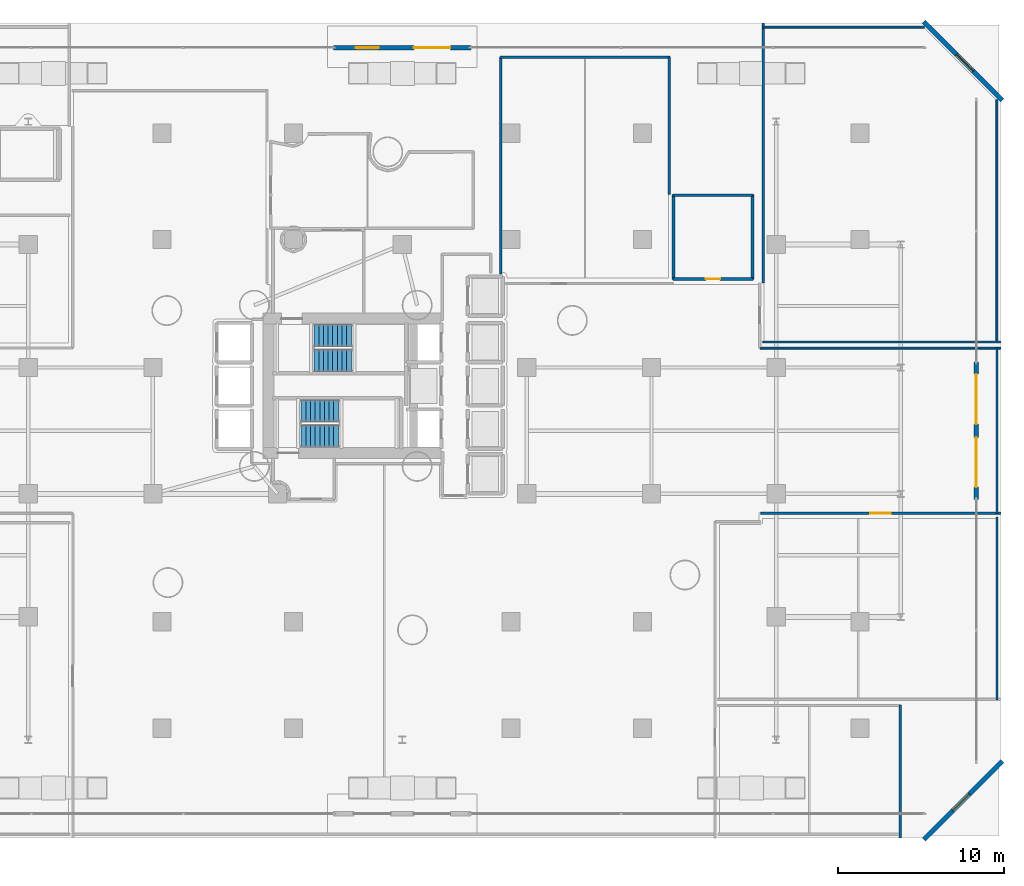
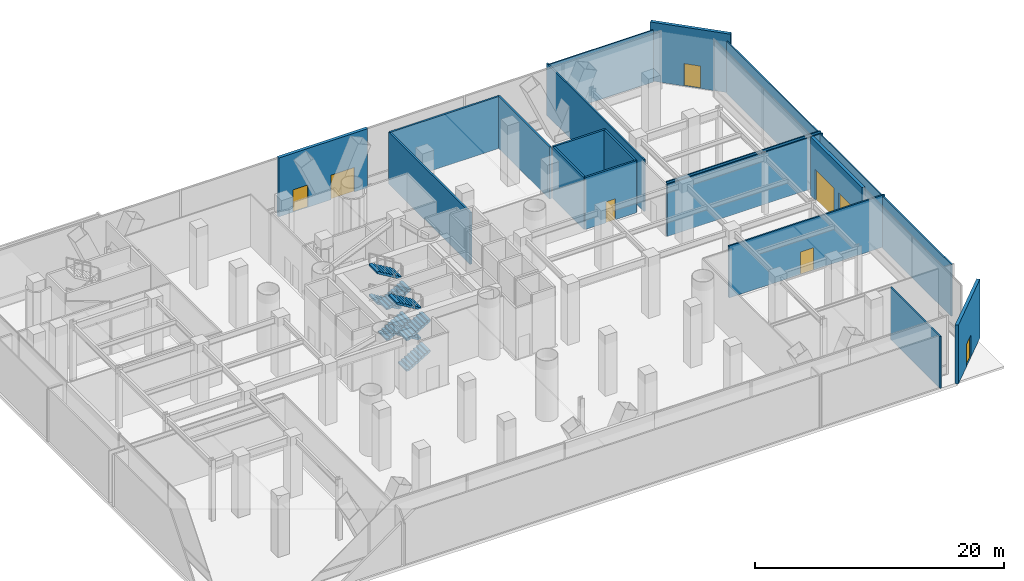
# One storey, part 31 of 40: 20 walls, 8 doors, 8 stair flights, 8 openings, 2 elements without a shape of their own.
"""IFC4 building model written with IfcOpenShell, lengths in metres."""

from ifc_helpers import new_model, si_unit, direction, frame, frame_2d, origin, place, context, subcontext, project, spatial, polyline, rectangle, outline, extrude, material, layer, layer_set, type_object, element, fill, aggregate, save


model = new_model("IFC4")

# Units and contexts
model_context = context("Model", 3, precision=1e-05, world=origin(), true_north=direction((0.0, 1.0)))
body_context = subcontext(model_context, "Body", "Model", "MODEL_VIEW")
ifc_project = project(units=[si_unit("LENGTHUNIT", "METRE"), si_unit("AREAUNIT", "SQUARE_METRE"), si_unit("VOLUMEUNIT", "CUBIC_METRE"), si_unit("PLANEANGLEUNIT", "RADIAN"), si_unit("MASSUNIT", "GRAM", prefix="KILO")], contexts=[model_context])

# Site, building, storey
site_placement = place(None, origin())
site = spatial("IfcSite", under=ifc_project, at=site_placement, CompositionType="ELEMENT")
building_placement = place(site_placement, origin())
building = spatial("IfcBuilding", under=site, at=building_placement, Name="Qianvela Tower", CompositionType="ELEMENT")
storey_placement = place(building_placement, origin())
storey = spatial("IfcBuildingStorey", under=building, at=storey_placement, Name="L00", CompositionType="ELEMENT", Elevation=0.0)

# Wall, opening, door
ifc_material_1 = material(Name="Terracotta Cladding on Concrete C40", Category="masonry")
ifc_layer_1 = layer(ifc_material_1, 0.280029296875)
ifc_layer_set_1 = layer_set([ifc_layer_1], Name="Terracotta Cladding on Concrete C40")
wall_type_1 = type_object("IfcWallType", Name="TERRACOTTA-WALL-280", PredefinedType="SOLIDWALL", material=ifc_layer_set_1)
wall_1_placement = place(storey_placement, frame((68.886962890625, 1.386962890625, 0.0), z_axis=(0.0, 0.0, 1.0), x_axis=(0.707106781187, 0.707106781187, 0.0)))
wall_1 = element("IfcWall", 1, at=wall_1_placement, inside=storey, type_object=wall_type_1, Name="L00 Terracotta Corner Wall 2", PredefinedType="SOLIDWALL", context=body_context, shape_type="SweptSolid", body=[
    extrude(rectangle(XDim=6.68359375, YDim=0.280029296875, at=frame_2d((3.341796875, 0.0))), origin(), (0.0, 0.0, 1.0), 5.780029296875),
])
opening_1_placement = place(wall_1_placement, frame((2.48193359375, 0.0, 0.0)))
opening_1 = element("IfcOpeningElement", 2, at=opening_1_placement, cuts=wall_1, Name="Opening ED-03", PredefinedType="OPENING", context=body_context, shape_type="SweptSolid", body=[
    extrude(rectangle(XDim=1.39990234375, YDim=2.199951171875, at=frame_2d((0.699951171875, 1.10009765625))), frame((0.0, 0.14990234375, 0.0), z_axis=(0.0, -1.0, 0.0), x_axis=(1.0, 0.0, 0.0)), (0.0, 0.0, 1.0), 0.300048828125),
])
ifc_material_2 = material(Name="Galvanised Insulated Steel Q355B", Category="steel")
door_type_1 = type_object("IfcDoorType", Name="DT-EXT-EXIT-1400", OperationType="NOTDEFINED", PredefinedType="DOOR", material=ifc_material_2)
door_1_placement = place(opening_1_placement, origin())
door_1 = element("IfcDoor", 3, at=door_1_placement, inside=storey, type_object=door_type_1, Name="L00 Street Exit Door 2", OperationType="DOUBLE_DOOR_SINGLE_SWING", OverallHeight=2.199951171875, OverallWidth=1.39990234375, PredefinedType="DOOR", context=body_context, shape_type="SweptSolid", body=[
    extrude(rectangle(XDim=1.39990234375, YDim=2.199951171875, at=frame_2d((0.699951171875, 1.10009765625))), frame((0.0, 0.02490234375, 0.0), z_axis=(0.0, -1.0, 0.0), x_axis=(1.0, 0.0, 0.0)), (0.0, 0.0, 1.0), 0.050048828125),
])
fill(opening_1, door_1)

# Wall, openings, doors
wall_2_placement = place(storey_placement, frame((72.050048828125, 21.8701171875, 0.0), z_axis=(0.0, 0.0, 1.0), x_axis=(0.0, 1.0, 0.0)))
wall_2 = element("IfcWall", 4, at=wall_2_placement, inside=storey, type_object=wall_type_1, Name="L00 Concourse Entrance Portal Wall 3", PredefinedType="SOLIDWALL", context=body_context, shape_type="SweptSolid", body=[
    extrude(rectangle(XDim=8.259765625, YDim=0.280029296875, at=frame_2d((4.1298828125, 0.0))), origin(), (0.0, 0.0, 1.0), 5.780029296875),
])
opening_2_placement = place(wall_2_placement, frame((0.72998046875, 0.0, 0.0)))
opening_2 = element("IfcOpeningElement", 5, at=opening_2_placement, cuts=wall_2, Name="Opening GT-01", PredefinedType="OPENING", context=body_context, shape_type="SweptSolid", body=[
    extrude(rectangle(XDim=3.0, YDim=3.0, at=frame_2d((1.5, 1.5))), frame((0.0, 0.14990234375, 0.0), z_axis=(0.0, -1.0, 0.0), x_axis=(1.0, 0.0, 0.0)), (0.0, 0.0, 1.0), 0.300048828125),
])
opening_3_placement = place(wall_2_placement, frame((4.530029296875, 0.0, 0.0)))
opening_3 = element("IfcOpeningElement", 6, at=opening_3_placement, cuts=wall_2, Name="Opening GT-01", PredefinedType="OPENING", context=body_context, shape_type="SweptSolid", body=[
    extrude(rectangle(XDim=3.0, YDim=3.0, at=frame_2d((1.5, 1.5))), frame((0.0, 0.14990234375, 0.0), z_axis=(0.0, -1.0, 0.0), x_axis=(1.0, 0.0, 0.0)), (0.0, 0.0, 1.0), 0.300048828125),
])
ifc_material_3 = material(Name="Galvanised Structural Steel Q355B", Category="steel")
door_type_2 = type_object("IfcDoorType", Name="GT-CONC-FLOOD-3600", OperationType="SLIDING_TO_LEFT", PredefinedType="GATE", material=ifc_material_3)
door_2_placement = place(opening_2_placement, origin())
door_2 = element("IfcDoor", 7, at=door_2_placement, inside=storey, type_object=door_type_2, Name="L00 Service and Flood Barrier Gate 3.1", OperationType="SLIDING_TO_LEFT", OverallHeight=3.0, OverallWidth=3.0, PredefinedType="GATE", context=body_context, shape_type="SweptSolid", body=[
    extrude(rectangle(XDim=3.0, YDim=3.0, at=frame_2d((1.5, 1.5))), frame((0.0, 0.02490234375, 0.0), z_axis=(0.0, -1.0, 0.0), x_axis=(1.0, 0.0, 0.0)), (0.0, 0.0, 1.0), 0.050048828125),
])
fill(opening_2, door_2)
door_3_placement = place(opening_3_placement, origin())
door_3 = element("IfcDoor", 8, at=door_3_placement, inside=storey, type_object=door_type_2, Name="L00 Service and Flood Barrier Gate 3.2", OperationType="SLIDING_TO_LEFT", OverallHeight=3.0, OverallWidth=3.0, PredefinedType="GATE", context=body_context, shape_type="SweptSolid", body=[
    extrude(rectangle(XDim=3.0, YDim=3.0, at=frame_2d((1.5, 1.5))), frame((0.0, 0.02490234375, 0.0), z_axis=(0.0, -1.0, 0.0), x_axis=(1.0, 0.0, 0.0)), (0.0, 0.0, 1.0), 0.050048828125),
])
fill(opening_3, door_3)

# Wall, opening, door
wall_3_placement = place(storey_placement, frame((73.613037109375, 45.886962890625, 0.0), z_axis=(0.0, 0.0, 1.0), x_axis=(-0.707106781187, 0.707106781187, 0.0)))
wall_3 = element("IfcWall", 9, at=wall_3_placement, inside=storey, type_object=wall_type_1, Name="L00 Terracotta Corner Wall 4", PredefinedType="SOLIDWALL", context=body_context, shape_type="SweptSolid", body=[
    extrude(rectangle(XDim=6.68359375, YDim=0.280029296875, at=frame_2d((3.341796875, 0.0))), origin(), (0.0, 0.0, 1.0), 5.780029296875),
])
opening_4_placement = place(wall_3_placement, frame((2.48193359375, 0.0, 0.0)))
opening_4 = element("IfcOpeningElement", 10, at=opening_4_placement, cuts=wall_3, Name="Opening ED-03", PredefinedType="OPENING", context=body_context, shape_type="SweptSolid", body=[
    extrude(rectangle(XDim=1.39990234375, YDim=2.199951171875, at=frame_2d((0.699951171875, 1.10009765625))), frame((0.0, 0.14990234375, 0.0), z_axis=(0.0, -1.0, 0.0), x_axis=(1.0, 0.0, 0.0)), (0.0, 0.0, 1.0), 0.300048828125),
])
door_4_placement = place(opening_4_placement, origin())
door_4 = element("IfcDoor", 11, at=door_4_placement, inside=storey, type_object=door_type_1, Name="L00 Street Exit Door 4", OperationType="DOUBLE_DOOR_SINGLE_SWING", OverallHeight=2.199951171875, OverallWidth=1.39990234375, PredefinedType="DOOR", context=body_context, shape_type="SweptSolid", body=[
    extrude(rectangle(XDim=1.39990234375, YDim=2.199951171875, at=frame_2d((0.699951171875, 1.10009765625))), frame((0.0, 0.02490234375, 0.0), z_axis=(0.0, -1.0, 0.0), x_axis=(1.0, 0.0, 0.0)), (0.0, 0.0, 1.0), 0.050048828125),
])
fill(opening_4, door_4)

# Wall, openings, doors
wall_4_placement = place(storey_placement, frame((33.3701171875, 49.050048828125, 0.0), z_axis=(0.0, 0.0, 1.0), x_axis=(1.0, 0.0, 0.0)))
wall_4 = element("IfcWall", 12, at=wall_4_placement, inside=storey, type_object=wall_type_1, Name="L00 Concourse Entrance Portal Wall 5", PredefinedType="SOLIDWALL", context=body_context, shape_type="SweptSolid", body=[
    extrude(rectangle(XDim=8.259765625, YDim=0.280029296875, at=frame_2d((4.1298828125, 0.0))), origin(), (0.0, 0.0, 1.0), 5.780029296875),
])
opening_5_placement = place(wall_4_placement, frame((1.330078125, 0.0, 0.0)))
opening_5 = element("IfcOpeningElement", 13, at=opening_5_placement, cuts=wall_4, Name="Opening ED-03", PredefinedType="OPENING", context=body_context, shape_type="SweptSolid", body=[
    extrude(rectangle(XDim=1.39990234375, YDim=2.199951171875, at=frame_2d((0.699951171875, 1.10009765625))), frame((0.0, 0.14990234375, 0.0), z_axis=(0.0, -1.0, 0.0), x_axis=(1.0, 0.0, 0.0)), (0.0, 0.0, 1.0), 0.300048828125),
])
opening_6_placement = place(wall_4_placement, frame((4.830078125, 0.0, 0.0)))
opening_6 = element("IfcOpeningElement", 14, at=opening_6_placement, cuts=wall_4, Name="Opening ED-01", PredefinedType="OPENING", context=body_context, shape_type="SweptSolid", body=[
    extrude(rectangle(XDim=2.199951171875, YDim=2.39990234375, at=frame_2d((1.10009765625, 1.199951171875))), frame((0.0, 0.14990234375, 0.0), z_axis=(0.0, -1.0, 0.0), x_axis=(1.0, 0.0, 0.0)), (0.0, 0.0, 1.0), 0.300048828125),
])
ifc_material_4 = material(Name="Thermally Broken Anodised Aluminium and Safety Glass", Category="aluminium")
door_type_3 = type_object("IfcDoorType", Name="DT-EXT-CONC-2200", OperationType="DOUBLE_DOOR_SINGLE_SWING", PredefinedType="DOOR", material=ifc_material_4)
door_5_placement = place(opening_6_placement, origin())
door_5 = element("IfcDoor", 15, at=door_5_placement, inside=storey, type_object=door_type_3, Name="L00 Street Concourse Main Entrance 5B", OperationType="DOUBLE_DOOR_SINGLE_SWING", OverallHeight=2.39990234375, OverallWidth=2.199951171875, PredefinedType="DOOR", context=body_context, shape_type="SweptSolid", body=[
    extrude(rectangle(XDim=2.199951171875, YDim=2.39990234375, at=frame_2d((1.10009765625, 1.199951171875))), frame((0.0, 0.02490234375, 0.0), z_axis=(0.0, -1.0, 0.0), x_axis=(1.0, 0.0, 0.0)), (0.0, 0.0, 1.0), 0.050048828125),
])
fill(opening_6, door_5)
door_6_placement = place(opening_5_placement, origin())
door_6 = element("IfcDoor", 16, at=door_6_placement, inside=storey, type_object=door_type_1, Name="L00 Final Exit Discharge Door North", OperationType="DOUBLE_DOOR_SINGLE_SWING", OverallHeight=2.199951171875, OverallWidth=1.39990234375, PredefinedType="DOOR", context=body_context, shape_type="SweptSolid", body=[
    extrude(rectangle(XDim=1.39990234375, YDim=2.199951171875, at=frame_2d((0.699951171875, 1.10009765625))), frame((0.0, 0.02490234375, 0.0), z_axis=(0.0, -1.0, 0.0), x_axis=(1.0, 0.0, 0.0)), (0.0, 0.0, 1.0), 0.050048828125),
])
fill(opening_5, door_6)

# Walls
ifc_material_5 = material(Name="Lightweight Gypsum Room Partition")
ifc_layer_2 = layer(ifc_material_5, 0.10498046875)
ifc_layer_set_2 = layer_set([ifc_layer_2], Name="Lightweight Gypsum Room Partition")
wall_type_2 = type_object("IfcWallType", Name="WT-PART-105", PredefinedType="PARTITIONING", material=ifc_layer_set_2)
wall_5_placement = place(storey_placement, frame((73.2890625, 31.0, 0.0), z_axis=(0.0, 0.0, 1.0), x_axis=(0.0, -1.0, 0.0)))
element("IfcWall", 17, at=wall_5_placement, inside=storey, type_object=wall_type_2, Name="L00 Partition 97", PredefinedType="PARTITIONING", context=body_context, shape_type="SweptSolid", body=[
    extrude(rectangle(XDim=10.0, YDim=0.10498046875, at=frame_2d((5.0, 0.0))), origin(), (0.0, 0.0, 1.0), 5.10009765625),
])
wall_6_placement = place(storey_placement, frame((73.52001953125, 31.3310546875, 0.0), z_axis=(0.0, 0.0, 1.0), x_axis=(-1.0, 0.0, 0.0)))
element("IfcWall", 18, at=wall_6_placement, inside=storey, type_object=wall_type_2, Name="L00 Partition 124", PredefinedType="PARTITIONING", context=body_context, shape_type="SweptSolid", body=[
    extrude(rectangle(XDim=14.320068359375, YDim=0.10498046875, at=frame_2d((7.16015625, 0.0))), origin(), (0.0, 0.0, 1.0), 5.10009765625),
])
ifc_material_6 = material(Name="Insulated Gypsum Stud Partition")
ifc_layer_3 = layer(ifc_material_6, 0.1201171875)
ifc_layer_set_3 = layer_set([ifc_layer_3], Name="Insulated Gypsum Stud Partition")
wall_type_3 = type_object("IfcWallType", Name="WT-PART-120", PredefinedType="PARTITIONING", material=ifc_layer_set_3)
wall_7_placement = place(storey_placement, frame((59.050048828125, 30.968994140625, 0.0), z_axis=(0.0, 0.0, 1.0), x_axis=(1.0, 0.0, 0.0)))
element("IfcWall", 19, at=wall_7_placement, inside=storey, type_object=wall_type_3, Name="L00 Partition 96", PredefinedType="PARTITIONING", context=body_context, shape_type="SweptSolid", body=[
    extrude(rectangle(XDim=14.469970703125, YDim=0.1201171875, at=frame_2d((7.23486328125, 0.0))), origin(), (0.0, 0.0, 1.0), 5.10009765625),
])
wall_8_placement = place(storey_placement, frame((73.2890625, 45.92529296875, 0.0), z_axis=(0.0, 0.0, 1.0), x_axis=(0.0, -1.0, 0.0)))
element("IfcWall", 20, at=wall_8_placement, inside=storey, type_object=wall_type_3, Name="L00 Partition 123", PredefinedType="PARTITIONING", context=body_context, shape_type="SweptSolid", body=[
    extrude(rectangle(XDim=14.625244140625, YDim=0.1201171875, at=frame_2d((7.3125, 0.0))), origin(), (0.0, 0.0, 1.0), 5.10009765625),
])
wall_9_placement = place(storey_placement, frame((59.199951171875, 50.2890625, 0.0), z_axis=(0.0, 0.0, 1.0), x_axis=(1.0, 0.0, 0.0)))
element("IfcWall", 21, at=wall_9_placement, inside=storey, type_object=wall_type_3, Name="L00 Partition 126", PredefinedType="PARTITIONING", context=body_context, shape_type="SweptSolid", body=[
    extrude(rectangle(XDim=9.725341796875, YDim=0.1201171875, at=frame_2d((4.86279296875, 0.0))), origin(), (0.0, 0.0, 1.0), 5.10009765625),
])

# Wall, opening, door
ifc_material_7 = material(Name="Moisture-Resistant Acoustic Plumbing Wall")
ifc_layer_4 = layer(ifc_material_7, 0.175048828125)
ifc_layer_set_4 = layer_set([ifc_layer_4], Name="Moisture-Resistant Acoustic Plumbing Wall")
wall_type_4 = type_object("IfcWallType", Name="WT-PLUMB-175", PredefinedType="PLUMBINGWALL", material=ifc_layer_set_4)
wall_10_placement = place(storey_placement, frame((58.60009765625, 35.131103515625, 0.0), z_axis=(0.0, 0.0, 1.0), x_axis=(-1.0, 0.0, 0.0)))
wall_10 = element("IfcWall", 22, at=wall_10_placement, inside=storey, type_object=wall_type_4, Name="L00 Partition 62", PredefinedType="PLUMBINGWALL", context=body_context, shape_type="SweptSolid", body=[
    extrude(rectangle(XDim=4.800048828125, YDim=0.175048828125, at=frame_2d((2.39990234375, 0.0))), origin(), (0.0, 0.0, 1.0), 5.10009765625),
])
opening_7_placement = place(wall_10_placement, frame((1.969970703125, 0.0, 0.0)))
opening_7 = element("IfcOpeningElement", 23, at=opening_7_placement, cuts=wall_10, Name="Opening D-WC1", PredefinedType="OPENING", context=body_context, shape_type="SweptSolid", body=[
    extrude(rectangle(XDim=0.860107421875, YDim=2.050048828125, at=frame_2d((0.43017578125, 1.02490234375))), frame((0.0, 0.097412109375, 0.0), z_axis=(0.0, -1.0, 0.0), x_axis=(1.0, 0.0, 0.0)), (0.0, 0.0, 1.0), 0.195068359375),
])
ifc_material_8 = material(Name="Moisture-Sealed Acoustic Timber Door", Category="wood")
door_type_4 = type_object("IfcDoorType", Name="DT-WC-860", OperationType="NOTDEFINED", PredefinedType="DOOR", material=ifc_material_8)
door_7_placement = place(opening_7_placement, origin())
door_7 = element("IfcDoor", 24, at=door_7_placement, inside=storey, type_object=door_type_4, Name="L00 Door Concourse Accessible WC to Street Concourse", OperationType="SINGLE_SWING_RIGHT", OverallHeight=2.050048828125, OverallWidth=0.860107421875, PredefinedType="DOOR", context=body_context, shape_type="SweptSolid", body=[
    extrude(rectangle(XDim=0.860107421875, YDim=2.050048828125, at=frame_2d((0.43017578125, 1.02490234375))), frame((0.0, 0.02490234375, 0.0), z_axis=(0.0, -1.0, 0.0), x_axis=(1.0, 0.0, 0.0)), (0.0, 0.0, 1.0), 0.050048828125),
])
fill(opening_7, door_7)

# Walls
wall_11_placement = place(storey_placement, frame((53.8310546875, 35.10009765625, 0.0), z_axis=(0.0, 0.0, 1.0), x_axis=(0.0, 1.0, 0.0)))
element("IfcWall", 25, at=wall_11_placement, inside=storey, type_object=wall_type_4, Name="L00 Partition 63", PredefinedType="PLUMBINGWALL", context=body_context, shape_type="SweptSolid", body=[
    extrude(rectangle(XDim=5.099853515625, YDim=0.175048828125, at=frame_2d((2.5498046875, 0.0))), origin(), (0.0, 0.0, 1.0), 5.10009765625),
])
wall_12_placement = place(storey_placement, frame((53.800048828125, 40.1689453125, 0.0), z_axis=(0.0, 0.0, 1.0), x_axis=(1.0, 0.0, 0.0)))
element("IfcWall", 26, at=wall_12_placement, inside=storey, type_object=wall_type_4, Name="L00 Partition 64", PredefinedType="PLUMBINGWALL", context=body_context, shape_type="SweptSolid", body=[
    extrude(rectangle(XDim=4.800048828125, YDim=0.175048828125, at=frame_2d((2.39990234375, 0.0))), origin(), (0.0, 0.0, 1.0), 5.10009765625),
])
wall_13_placement = place(storey_placement, frame((58.569091796875, 40.199951171875, 0.0), z_axis=(0.0, 0.0, 1.0), x_axis=(0.0, -1.0, 0.0)))
element("IfcWall", 27, at=wall_13_placement, inside=storey, type_object=wall_type_4, Name="L00 Partition 65", PredefinedType="PLUMBINGWALL", context=body_context, shape_type="SweptSolid", body=[
    extrude(rectangle(XDim=5.099853515625, YDim=0.175048828125, at=frame_2d((2.5498046875, 0.0))), origin(), (0.0, 0.0, 1.0), 5.10009765625),
])
wall_14_placement = place(storey_placement, frame((43.430908203125, 35.43994140625, 0.0), z_axis=(0.0, 0.0, 1.0), x_axis=(0.0, 1.0, 0.0)))
element("IfcWall", 28, at=wall_14_placement, inside=storey, type_object=wall_type_4, Name="L00 Partition 128", PredefinedType="PLUMBINGWALL", context=body_context, shape_type="SweptSolid", body=[
    extrude(rectangle(XDim=13.06005859375, YDim=0.175048828125, at=frame_2d((6.530029296875, 0.0))), origin(), (0.0, 0.0, 1.0), 5.10009765625),
])
wall_15_placement = place(storey_placement, frame((43.39990234375, 48.468994140625, 0.0), z_axis=(0.0, 0.0, 1.0), x_axis=(1.0, 0.0, 0.0)))
element("IfcWall", 29, at=wall_15_placement, inside=storey, type_object=wall_type_4, Name="L00 Partition 129", PredefinedType="PLUMBINGWALL", context=body_context, shape_type="SweptSolid", body=[
    extrude(rectangle(XDim=10.2001953125, YDim=0.175048828125, at=frame_2d((5.10009765625, 0.0))), origin(), (0.0, 0.0, 1.0), 5.10009765625),
])
wall_16_placement = place(storey_placement, frame((53.569091796875, 48.5, 0.0), z_axis=(0.0, 0.0, 1.0), x_axis=(0.0, -1.0, 0.0)))
element("IfcWall", 30, at=wall_16_placement, inside=storey, type_object=wall_type_4, Name="L00 Partition 130 seg 1", PredefinedType="PLUMBINGWALL", context=body_context, shape_type="SweptSolid", body=[
    extrude(rectangle(XDim=8.300048828125, YDim=0.175048828125, at=frame_2d((4.14990234375, 0.0))), origin(), (0.0, 0.0, 1.0), 5.10009765625),
])

# Wall, opening, door
ifc_material_9 = material(Name="Acoustic Double Gypsum Stud Partition")
ifc_layer_5 = layer(ifc_material_9, 0.139892578125)
ifc_layer_set_5 = layer_set([ifc_layer_5], Name="Acoustic Double Gypsum Stud Partition")
wall_type_5 = type_object("IfcWallType", Name="WT-ROOM-140", PredefinedType="PARTITIONING", material=ifc_layer_set_5)
wall_17_placement = place(storey_placement, frame((73.52001953125, 21.031005859375, 0.0), z_axis=(0.0, 0.0, 1.0), x_axis=(-1.0, 0.0, 0.0)))
wall_17 = element("IfcWall", 31, at=wall_17_placement, inside=storey, type_object=wall_type_5, Name="L00 Partition 98", PredefinedType="PARTITIONING", context=body_context, shape_type="SweptSolid", body=[
    extrude(rectangle(XDim=14.469970703125, YDim=0.139892578125, at=frame_2d((7.23486328125, 0.0))), origin(), (0.0, 0.0, 1.0), 5.10009765625),
])
opening_8_placement = place(wall_17_placement, frame((6.610107421875, 0.0, 0.0)))
opening_8 = element("IfcOpeningElement", 32, at=opening_8_placement, cuts=wall_17, Name="Opening D-LG1", PredefinedType="OPENING", context=body_context, shape_type="SweptSolid", body=[
    extrude(rectangle(XDim=1.25, YDim=2.199951171875, at=frame_2d((0.625, 1.10009765625))), frame((0.0, 0.079833984375, 0.0), z_axis=(0.0, -1.0, 0.0), x_axis=(1.0, 0.0, 0.0)), (0.0, 0.0, 1.0), 0.159912109375),
])
ifc_material_10 = material(Name="Anodised Aluminium Acoustic Glass Door", Category="aluminium")
door_type_5 = type_object("IfcDoorType", Name="DT-LOUNGE-1250", OperationType="NOTDEFINED", PredefinedType="DOOR", material=ifc_material_10)
door_8_placement = place(opening_8_placement, origin())
door_8 = element("IfcDoor", 33, at=door_8_placement, inside=storey, type_object=door_type_5, Name="L00 Door Campus Bookshop and Convenience Retail to Street Concourse", OperationType="SINGLE_SWING_RIGHT", OverallHeight=2.199951171875, OverallWidth=1.25, PredefinedType="DOOR", context=body_context, shape_type="SweptSolid", body=[
    extrude(rectangle(XDim=1.25, YDim=2.199951171875, at=frame_2d((0.625, 1.10009765625))), frame((0.0, 0.02490234375, 0.0), z_axis=(0.0, -1.0, 0.0), x_axis=(1.0, 0.0, 0.0)), (0.0, 0.0, 1.0), 0.050048828125),
])
fill(opening_8, door_8)

# Walls
wall_18_placement = place(storey_placement, frame((67.468994140625, 9.5, 0.0), z_axis=(0.0, 0.0, 1.0), x_axis=(0.0, -1.0, 0.0)))
element("IfcWall", 34, at=wall_18_placement, inside=storey, type_object=wall_type_5, Name="L00 Partition 107", PredefinedType="PARTITIONING", context=body_context, shape_type="SweptSolid", body=[
    extrude(rectangle(XDim=8.02001953125, YDim=0.139892578125, at=frame_2d((4.010009765625, 0.0))), origin(), (0.0, 0.0, 1.0), 5.10009765625),
])
wall_19_placement = place(storey_placement, frame((73.2890625, 20.800048828125, 0.0), z_axis=(0.0, 0.0, 1.0), x_axis=(0.0, -1.0, 0.0)))
element("IfcWall", 35, at=wall_19_placement, inside=storey, type_object=wall_type_5, Name="L00 Partition 113", PredefinedType="PARTITIONING", context=body_context, shape_type="SweptSolid", body=[
    extrude(rectangle(XDim=11.0, YDim=0.139892578125, at=frame_2d((5.5, 0.0))), origin(), (0.0, 0.0, 1.0), 5.10009765625),
])
wall_20_placement = place(storey_placement, frame((59.23095703125, 34.8798828125, 0.0), z_axis=(0.0, 0.0, 1.0), x_axis=(0.0, 1.0, 0.0)))
element("IfcWall", 36, at=wall_20_placement, inside=storey, type_object=wall_type_5, Name="L00 Partition 125 seg 1", PredefinedType="PARTITIONING", context=body_context, shape_type="SweptSolid", body=[
    extrude(rectangle(XDim=15.64013671875, YDim=0.139892578125, at=frame_2d((7.820068359375, 0.0))), origin(), (0.0, 0.0, 1.0), 5.10009765625),
])

# Stair, stair flights
ifc_material_11 = material(Name="Concrete C40", Category="concrete")
stair_type = type_object("IfcStairType", Name="ST-DOGLEG-1350-R167-N36", PredefinedType="HALF_TURN_STAIR", material=ifc_material_11)
stair_1_placement = place(storey_placement, origin())
stair_1 = element("IfcStair", 37, at=stair_1_placement, inside=storey, type_object=stair_type, Name="L00 Smoke-Proof Core Stair ST-1", PredefinedType="HALF_TURN_STAIR")
ifc_material_12 = material(Name="Concrete C40", Category="concrete")
stair_flight_type = type_object("IfcStairFlightType", Name="STF-STRAIGHT-R167-P9", PredefinedType="STRAIGHT", material=ifc_material_12)
stair_flight_1_placement = place(storey_placement, frame((32.199951171875, 30.215087890625, 0.0), z_axis=(0.0, 0.0, 1.0), x_axis=(1.0, 0.0, 0.0)))
stair_flight_1 = element("IfcStairFlight", 38, at=stair_flight_1_placement, type_object=stair_flight_type, Name="ST-1 flight 1", NumberOfRisers=9, NumberOfTreads=8, PredefinedType="STRAIGHT", RiserHeight=0.166666667, TreadLength=0.28, context=body_context, shape_type="SweptSolid", body=[
    extrude(outline(polyline([(0.0, 0.0), (0.0, 0.166748046875), (0.280029296875, 0.166748046875), (0.280029296875, 0.333251953125), (0.56005859375, 0.333251953125), (0.56005859375, 0.5), (0.840087890625, 0.5), (0.840087890625, 0.666748046875), (1.1201171875, 0.666748046875), (1.1201171875, 0.833251953125), (1.39990234375, 0.833251953125), (1.39990234375, 1.0), (1.679931640625, 1.0), (1.679931640625, 1.166748046875), (1.9599609375, 1.166748046875), (1.9599609375, 1.333251953125), (2.239990234375, 1.333251953125), (2.239990234375, 1.5), (2.239990234375, 1.158935546875), (0.29296875, 0.0), (0.0, 0.0)])), frame((0.0, 0.675048828125, 0.0), z_axis=(0.0, -1.0, 0.0), x_axis=(1.0, 0.0, 0.0)), (0.0, 0.0, 1.0), 1.35009765625),
])
stair_flight_2_placement = place(storey_placement, frame((34.43994140625, 31.72509765625, 1.5), z_axis=(0.0, 0.0, 1.0), x_axis=(-1.0, 0.0, 0.0)))
stair_flight_2 = element("IfcStairFlight", 39, at=stair_flight_2_placement, type_object=stair_flight_type, Name="ST-1 flight 2", NumberOfRisers=9, NumberOfTreads=8, PredefinedType="STRAIGHT", RiserHeight=0.166666667, TreadLength=0.28, context=body_context, shape_type="SweptSolid", body=[
    extrude(outline(polyline([(0.0, 0.0), (0.0, 0.166748046875), (0.280029296875, 0.166748046875), (0.280029296875, 0.333251953125), (0.56005859375, 0.333251953125), (0.56005859375, 0.5), (0.840087890625, 0.5), (0.840087890625, 0.666748046875), (1.1201171875, 0.666748046875), (1.1201171875, 0.833251953125), (1.39990234375, 0.833251953125), (1.39990234375, 1.0), (1.679931640625, 1.0), (1.679931640625, 1.166748046875), (1.9599609375, 1.166748046875), (1.9599609375, 1.333251953125), (2.239990234375, 1.333251953125), (2.239990234375, 1.5), (2.239990234375, 1.158935546875), (0.29296875, 0.0), (0.0, 0.0)])), frame((0.0, 0.675048828125, 0.0), z_axis=(0.0, -1.0, 0.0), x_axis=(1.0, 0.0, 0.0)), (0.0, 0.0, 1.0), 1.35009765625),
])
stair_flight_3_placement = place(storey_placement, frame((32.199951171875, 30.215087890625, 3.0), z_axis=(0.0, 0.0, 1.0), x_axis=(1.0, 0.0, 0.0)))
stair_flight_3 = element("IfcStairFlight", 40, at=stair_flight_3_placement, type_object=stair_flight_type, Name="ST-1 flight 3", NumberOfRisers=9, NumberOfTreads=8, PredefinedType="STRAIGHT", RiserHeight=0.166666667, TreadLength=0.28, context=body_context, shape_type="SweptSolid", body=[
    extrude(outline(polyline([(0.0, 0.0), (0.0, 0.166748046875), (0.280029296875, 0.166748046875), (0.280029296875, 0.333251953125), (0.56005859375, 0.333251953125), (0.56005859375, 0.5), (0.840087890625, 0.5), (0.840087890625, 0.666748046875), (1.1201171875, 0.666748046875), (1.1201171875, 0.833251953125), (1.39990234375, 0.833251953125), (1.39990234375, 1.0), (1.679931640625, 1.0), (1.679931640625, 1.166748046875), (1.9599609375, 1.166748046875), (1.9599609375, 1.333251953125), (2.239990234375, 1.333251953125), (2.239990234375, 1.5), (2.239990234375, 1.158935546875), (0.29296875, 0.0), (0.0, 0.0)])), frame((0.0, 0.675048828125, 0.0), z_axis=(0.0, -1.0, 0.0), x_axis=(1.0, 0.0, 0.0)), (0.0, 0.0, 1.0), 1.35009765625),
])
stair_flight_4_placement = place(storey_placement, frame((34.43994140625, 31.72509765625, 4.5), z_axis=(0.0, 0.0, 1.0), x_axis=(-1.0, 0.0, 0.0)))
stair_flight_4 = element("IfcStairFlight", 41, at=stair_flight_4_placement, type_object=stair_flight_type, Name="ST-1 flight 4", NumberOfRisers=9, NumberOfTreads=8, PredefinedType="STRAIGHT", RiserHeight=0.166666667, TreadLength=0.28, context=body_context, shape_type="SweptSolid", body=[
    extrude(outline(polyline([(0.0, 0.0), (0.0, 0.166748046875), (0.280029296875, 0.166748046875), (0.280029296875, 0.333251953125), (0.56005859375, 0.333251953125), (0.56005859375, 0.5), (0.840087890625, 0.5), (0.840087890625, 0.666748046875), (1.1201171875, 0.666748046875), (1.1201171875, 0.833251953125), (1.39990234375, 0.833251953125), (1.39990234375, 1.0), (1.679931640625, 1.0), (1.679931640625, 1.166748046875), (1.9599609375, 1.166748046875), (1.9599609375, 1.333251953125), (2.239990234375, 1.333251953125), (2.239990234375, 1.5), (2.239990234375, 1.158935546875), (0.29296875, 0.0), (0.0, 0.0)])), frame((0.0, 0.675048828125, 0.0), z_axis=(0.0, -1.0, 0.0), x_axis=(1.0, 0.0, 0.0)), (0.0, 0.0, 1.0), 1.35009765625),
])
aggregate(stair_1, [stair_flight_1, stair_flight_2, stair_flight_3, stair_flight_4])

stair_2_placement = place(storey_placement, origin())
stair_2 = element("IfcStair", 42, at=stair_2_placement, inside=storey, type_object=stair_type, Name="L00 Smoke-Proof Core Stair ST-2", PredefinedType="HALF_TURN_STAIR")
stair_flight_5_placement = place(storey_placement, frame((31.419921875, 25.675048828125, 0.0), z_axis=(0.0, 0.0, 1.0), x_axis=(1.0, 0.0, 0.0)))
stair_flight_5 = element("IfcStairFlight", 43, at=stair_flight_5_placement, type_object=stair_flight_type, Name="ST-2 flight 1", NumberOfRisers=9, NumberOfTreads=8, PredefinedType="STRAIGHT", RiserHeight=0.166666667, TreadLength=0.28, context=body_context, shape_type="SweptSolid", body=[
    extrude(outline(polyline([(0.0, 0.0), (0.0, 0.166748046875), (0.280029296875, 0.166748046875), (0.280029296875, 0.333251953125), (0.56005859375, 0.333251953125), (0.56005859375, 0.5), (0.840087890625, 0.5), (0.840087890625, 0.666748046875), (1.1201171875, 0.666748046875), (1.1201171875, 0.833251953125), (1.39990234375, 0.833251953125), (1.39990234375, 1.0), (1.679931640625, 1.0), (1.679931640625, 1.166748046875), (1.9599609375, 1.166748046875), (1.9599609375, 1.333251953125), (2.239990234375, 1.333251953125), (2.239990234375, 1.5), (2.239990234375, 1.158935546875), (0.29296875, 0.0), (0.0, 0.0)])), frame((0.0, 0.675048828125, 0.0), z_axis=(0.0, -1.0, 0.0), x_axis=(1.0, 0.0, 0.0)), (0.0, 0.0, 1.0), 1.35009765625),
])
stair_flight_6_placement = place(storey_placement, frame((33.659912109375, 27.18505859375, 1.5), z_axis=(0.0, 0.0, 1.0), x_axis=(-1.0, 0.0, 0.0)))
stair_flight_6 = element("IfcStairFlight", 44, at=stair_flight_6_placement, type_object=stair_flight_type, Name="ST-2 flight 2", NumberOfRisers=9, NumberOfTreads=8, PredefinedType="STRAIGHT", RiserHeight=0.166666667, TreadLength=0.28, context=body_context, shape_type="SweptSolid", body=[
    extrude(outline(polyline([(0.0, 0.0), (0.0, 0.166748046875), (0.280029296875, 0.166748046875), (0.280029296875, 0.333251953125), (0.56005859375, 0.333251953125), (0.56005859375, 0.5), (0.840087890625, 0.5), (0.840087890625, 0.666748046875), (1.1201171875, 0.666748046875), (1.1201171875, 0.833251953125), (1.39990234375, 0.833251953125), (1.39990234375, 1.0), (1.679931640625, 1.0), (1.679931640625, 1.166748046875), (1.9599609375, 1.166748046875), (1.9599609375, 1.333251953125), (2.239990234375, 1.333251953125), (2.239990234375, 1.5), (2.239990234375, 1.158935546875), (0.29296875, 0.0), (0.0, 0.0)])), frame((0.0, 0.675048828125, 0.0), z_axis=(0.0, -1.0, 0.0), x_axis=(1.0, 0.0, 0.0)), (0.0, 0.0, 1.0), 1.35009765625),
])
stair_flight_7_placement = place(storey_placement, frame((31.419921875, 25.675048828125, 3.0), z_axis=(0.0, 0.0, 1.0), x_axis=(1.0, 0.0, 0.0)))
stair_flight_7 = element("IfcStairFlight", 45, at=stair_flight_7_placement, type_object=stair_flight_type, Name="ST-2 flight 3", NumberOfRisers=9, NumberOfTreads=8, PredefinedType="STRAIGHT", RiserHeight=0.166666667, TreadLength=0.28, context=body_context, shape_type="SweptSolid", body=[
    extrude(outline(polyline([(0.0, 0.0), (0.0, 0.166748046875), (0.280029296875, 0.166748046875), (0.280029296875, 0.333251953125), (0.56005859375, 0.333251953125), (0.56005859375, 0.5), (0.840087890625, 0.5), (0.840087890625, 0.666748046875), (1.1201171875, 0.666748046875), (1.1201171875, 0.833251953125), (1.39990234375, 0.833251953125), (1.39990234375, 1.0), (1.679931640625, 1.0), (1.679931640625, 1.166748046875), (1.9599609375, 1.166748046875), (1.9599609375, 1.333251953125), (2.239990234375, 1.333251953125), (2.239990234375, 1.5), (2.239990234375, 1.158935546875), (0.29296875, 0.0), (0.0, 0.0)])), frame((0.0, 0.675048828125, 0.0), z_axis=(0.0, -1.0, 0.0), x_axis=(1.0, 0.0, 0.0)), (0.0, 0.0, 1.0), 1.35009765625),
])
stair_flight_8_placement = place(storey_placement, frame((33.659912109375, 27.18505859375, 4.5), z_axis=(0.0, 0.0, 1.0), x_axis=(-1.0, 0.0, 0.0)))
stair_flight_8 = element("IfcStairFlight", 46, at=stair_flight_8_placement, type_object=stair_flight_type, Name="ST-2 flight 4", NumberOfRisers=9, NumberOfTreads=8, PredefinedType="STRAIGHT", RiserHeight=0.166666667, TreadLength=0.28, context=body_context, shape_type="SweptSolid", body=[
    extrude(outline(polyline([(0.0, 0.0), (0.0, 0.166748046875), (0.280029296875, 0.166748046875), (0.280029296875, 0.333251953125), (0.56005859375, 0.333251953125), (0.56005859375, 0.5), (0.840087890625, 0.5), (0.840087890625, 0.666748046875), (1.1201171875, 0.666748046875), (1.1201171875, 0.833251953125), (1.39990234375, 0.833251953125), (1.39990234375, 1.0), (1.679931640625, 1.0), (1.679931640625, 1.166748046875), (1.9599609375, 1.166748046875), (1.9599609375, 1.333251953125), (2.239990234375, 1.333251953125), (2.239990234375, 1.5), (2.239990234375, 1.158935546875), (0.29296875, 0.0), (0.0, 0.0)])), frame((0.0, 0.675048828125, 0.0), z_axis=(0.0, -1.0, 0.0), x_axis=(1.0, 0.0, 0.0)), (0.0, 0.0, 1.0), 1.35009765625),
])
aggregate(stair_2, [stair_flight_5, stair_flight_6, stair_flight_7, stair_flight_8])

save(model, "model.ifc")
